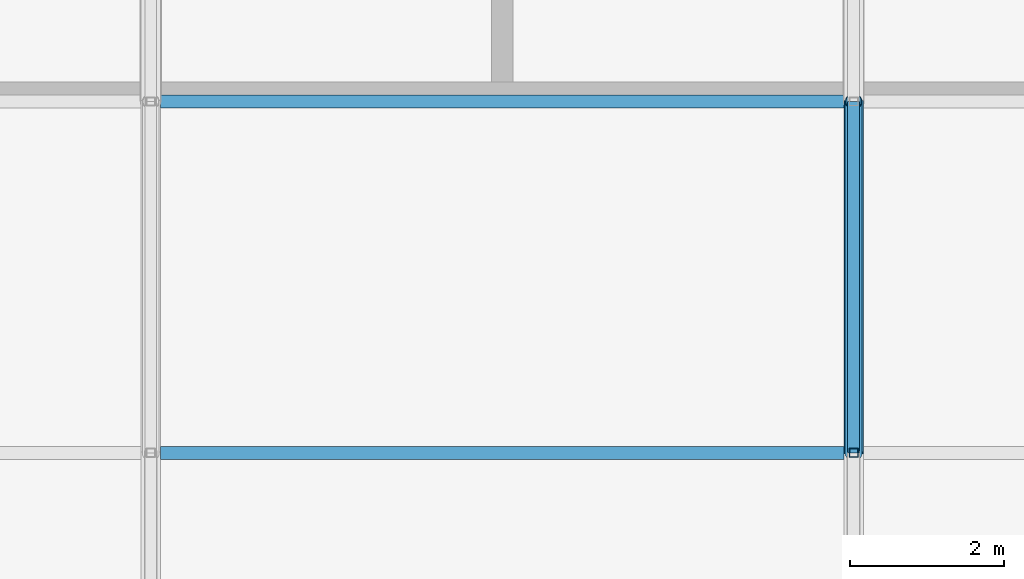
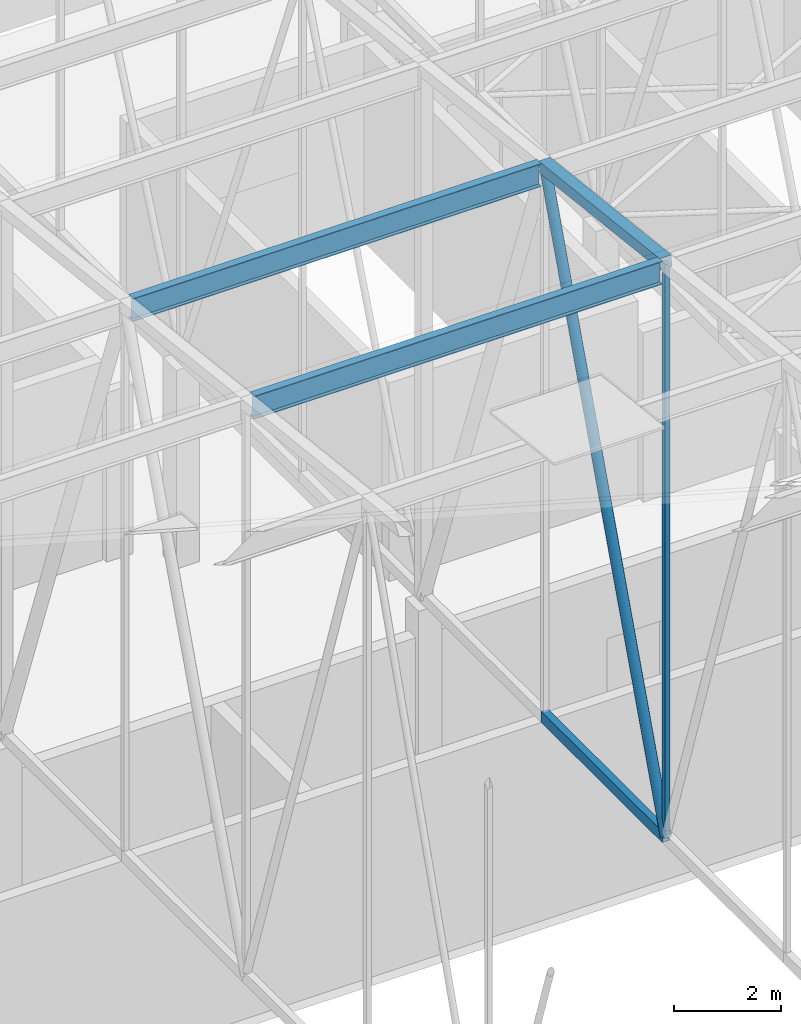
# One storey, part 370 of 500: 6 members.
"""IFC4 building model written with IfcOpenShell, lengths in metres."""

from ifc_helpers import new_model, si_unit, direction, frame, origin, origin_2d, place, context, subcontext, project, spatial, hollow_rectangle, hollow_circle, i_section, extrude, material, material_profile, profile_set, type_object, element, save


model = new_model("IFC4")

# Units and contexts
model_context = context("Model", 3, precision=1e-05, world=origin(), true_north=direction((0.0, 1.0)))
body_context = subcontext(model_context, "Body", "Model", "MODEL_VIEW")
ifc_project = project(units=[si_unit("LENGTHUNIT", "METRE"), si_unit("AREAUNIT", "SQUARE_METRE"), si_unit("VOLUMEUNIT", "CUBIC_METRE"), si_unit("PLANEANGLEUNIT", "RADIAN"), si_unit("MASSUNIT", "GRAM", prefix="KILO")], contexts=[model_context])

# Site, building, storey
site_placement = place(None, origin())
site = spatial("IfcSite", under=ifc_project, at=site_placement, CompositionType="ELEMENT")
building_placement = place(site_placement, origin())
building = spatial("IfcBuilding", under=site, at=building_placement, Name="Shirokan Park Arena", CompositionType="ELEMENT")
storey_placement = place(building_placement, frame((0.0, 0.0, 29.1201171875)))
storey = spatial("IfcBuildingStorey", under=building, at=storey_placement, Name="L06", CompositionType="ELEMENT", Elevation=29.1201171875)

# Members
ifc_material_1 = material(Name="Steel ASTM A500 Grade C", Category="steel")
ifc_material_profile_1 = material_profile(ifc_material_1, hollow_rectangle(XDim=0.152099609375, YDim=0.25390625, WallThickness=0.009521484375, at=origin_2d()), Name="HSS254X152.4X9.5")
ifc_profile_set_1 = profile_set([ifc_material_profile_1], Name="Steel ASTM A500 Grade C")
member_type_1 = type_object("IfcMemberType", Name="Bottom chord HSS254X152.4X9.5", PredefinedType="CHORD", material=ifc_profile_set_1)
member_1_placement = place(storey_placement, frame((127.39990234375, 63.699951171875, 4.677001953125), z_axis=(0.0, 1.0, 0.0), x_axis=(-1.0, 0.0, 0.0)))
element("IfcMember", 1, at=member_1_placement, inside=storey, type_object=member_type_1, Name="Truss T15 bottom chord 17", PredefinedType="CHORD", context=body_context, shape_type="SweptSolid", body=[
    extrude(hollow_rectangle(XDim=0.152099609375, YDim=0.25390625, WallThickness=0.009521484375, at=origin_2d()), origin(), (0.0, 0.0, 1.0), 4.550048828125),
])
ifc_material_2 = material(Name="Steel ASTM A992", Category="steel")
ifc_material_profile_2 = material_profile(ifc_material_2, i_section(OverallWidth=0.166015625, OverallDepth=0.528076171875, WebThickness=0.009765625, FlangeThickness=0.013671875, at=origin_2d()), Name="W530X74")
ifc_profile_set_2 = profile_set([ifc_material_profile_2], Name="Steel ASTM A992")
member_type_2 = type_object("IfcMemberType", Name="Purlin W530X74", PredefinedType="PURLIN", material=ifc_profile_set_2)
for number, where, z_axis, x_axis, name in (
    (2, (118.427001953125, 63.699951171875, 17.685791015625), (1.0, 0.0, 0.0), (0.0, 1.0, 0.0), "Purlin 17 bay 14"),
    (3, (118.427001953125, 68.25, 17.165771484375), (1.0, 0.0, 0.0), (0.0, 1.0, 0.0), "Purlin 18 bay 14"),
):
    element("IfcMember", number, at=place(storey_placement, frame(where, z_axis=z_axis, x_axis=x_axis)), inside=storey, type_object=member_type_2, Name=name, PredefinedType="PURLIN", context=body_context, shape_type="SweptSolid", body=[
        extrude(i_section(OverallWidth=0.166015625, OverallDepth=0.528076171875, WebThickness=0.009765625, FlangeThickness=0.013671875, at=origin_2d()), origin(), (0.0, 0.0, 1.0), 8.845947265625),
    ])
ifc_material_profile_3 = material_profile(ifc_material_1, hollow_rectangle(XDim=0.25390625, YDim=0.25390625, WallThickness=0.009521484375, at=origin_2d()), Name="HSS254X254X9.5")
ifc_profile_set_3 = profile_set([ifc_material_profile_3], Name="Steel ASTM A500 Grade C")
member_type_3 = type_object("IfcMemberType", Name="Top chord HSS254X254X9.5", PredefinedType="CHORD", material=ifc_profile_set_3)
member_2_placement = place(storey_placement, frame((127.39990234375, 63.699951171875, 17.822998046875), z_axis=(0.0, 0.993532328996, -0.113549598152), x_axis=(-1.0, 0.0, 0.0)))
element("IfcMember", 4, at=member_2_placement, inside=storey, type_object=member_type_3, Name="Truss T15 top chord 17", PredefinedType="CHORD", context=body_context, shape_type="SweptSolid", body=[
    extrude(hollow_rectangle(XDim=0.25390625, YDim=0.25390625, WallThickness=0.009521484375, at=origin_2d()), origin(), (0.0, 0.0, 1.0), 4.57958984375),
])
ifc_material_profile_4 = material_profile(ifc_material_1, hollow_circle(Radius=0.109619140625, WallThickness=0.009521484375, at=origin_2d()), Name="HSS219.1X9.5")
ifc_profile_set_4 = profile_set([ifc_material_profile_4], Name="Steel ASTM A500 Grade C")
member_type_4 = type_object("IfcMemberType", Name="Truss diagonal HSS219.1X9.5", PredefinedType="BRACE", material=ifc_profile_set_4)
member_3_placement = place(storey_placement, frame((127.39990234375, 63.699951171875, 4.677001953125), z_axis=(0.0, 0.339029292845, 0.940775817394), x_axis=(-1.0, 0.0, 0.0)))
element("IfcMember", 5, at=member_3_placement, inside=storey, type_object=member_type_4, Name="Truss T15 diagonal 17", PredefinedType="BRACE", context=body_context, shape_type="SweptSolid", body=[
    extrude(hollow_circle(Radius=0.109619140625, WallThickness=0.009521484375, at=origin_2d()), origin(), (0.0, 0.0, 1.0), 13.4208984375),
])
ifc_material_profile_5 = material_profile(ifc_material_1, hollow_rectangle(XDim=0.114013671875, YDim=0.114013671875, WallThickness=0.00634765625, at=origin_2d()), Name="HSS114.3X114.3X6.4")
ifc_profile_set_5 = profile_set([ifc_material_profile_5], Name="Steel ASTM A500 Grade C")
member_type_5 = type_object("IfcMemberType", Name="Truss post HSS114.3X114.3X6.4", PredefinedType="POST", material=ifc_profile_set_5)
member_4_placement = place(storey_placement, frame((127.39990234375, 63.699951171875, 4.677001953125), z_axis=(0.0, 0.0, 1.0), x_axis=(1.0, 0.0, 0.0)))
element("IfcMember", 6, at=member_4_placement, inside=storey, type_object=member_type_5, Name="Truss T15 post 17", PredefinedType="POST", context=body_context, shape_type="SweptSolid", body=[
    extrude(hollow_rectangle(XDim=0.114013671875, YDim=0.114013671875, WallThickness=0.00634765625, at=origin_2d()), origin(), (0.0, 0.0, 1.0), 13.14599609375),
])

save(model, "model.ifc")
